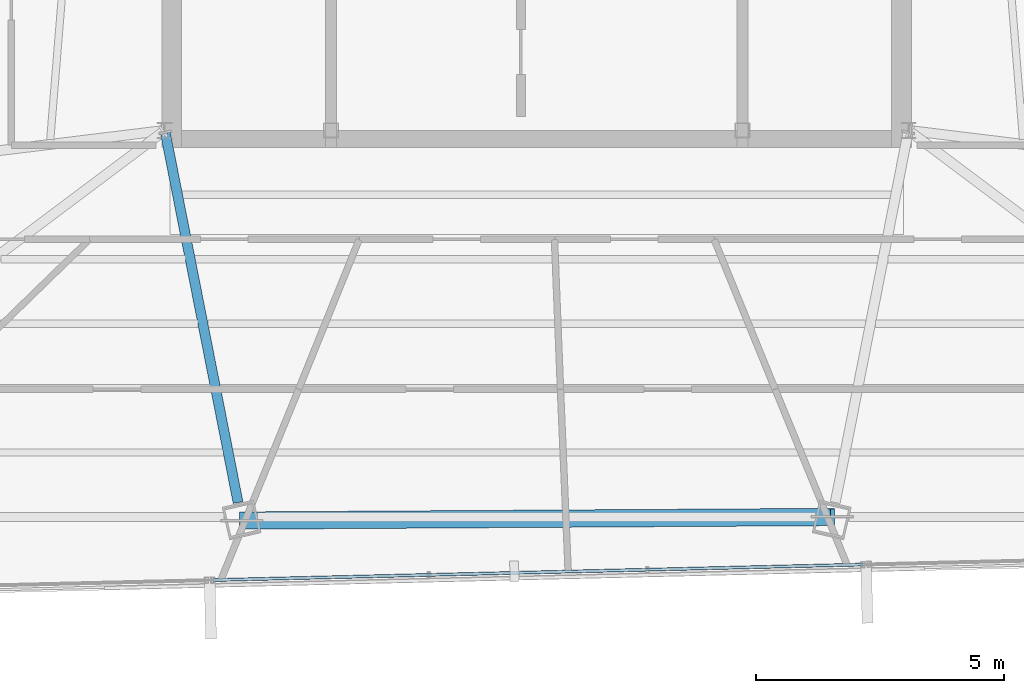
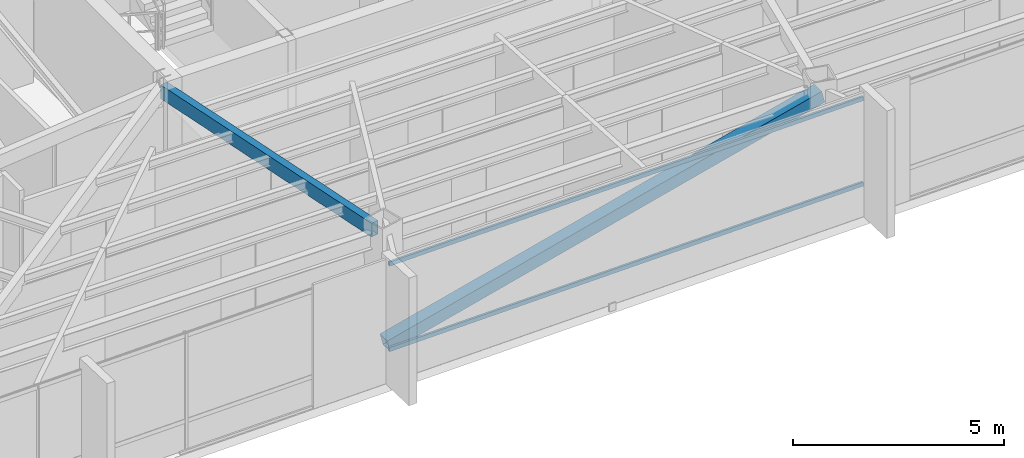
# One storey, part 12 of 45: 3 members, 1 beam, 1 element without a shape of its own.
"""IFC4 building model written with IfcOpenShell, lengths in metres."""

from ifc_helpers import new_model, si_unit, direction, frame, origin, origin_2d, place, context, subcontext, project, spatial, hollow_rectangle, extrude, source, transform, mapped, material, material_profile, profile_set, type_object, type_shapes, element, aggregate, save


model = new_model("IFC4")

# Units and contexts
model_context = context("Model", 3, precision=1e-05, world=origin(), true_north=direction((0.0, 1.0)))
body_context = subcontext(model_context, "Body", "Model", "MODEL_VIEW")
ifc_project = project(units=[si_unit("LENGTHUNIT", "METRE"), si_unit("AREAUNIT", "SQUARE_METRE"), si_unit("VOLUMEUNIT", "CUBIC_METRE"), si_unit("PLANEANGLEUNIT", "RADIAN"), si_unit("MASSUNIT", "GRAM", prefix="KILO")], contexts=[model_context])

# Site, building, storey
site_placement = place(None, origin())
site = spatial("IfcSite", under=ifc_project, at=site_placement, CompositionType="ELEMENT")
building_placement = place(site_placement, origin())
building = spatial("IfcBuilding", under=site, at=building_placement, Name="Caelisora Broadcast Tower", CompositionType="ELEMENT")
storey_placement = place(building_placement, frame((0.0, 0.0, 266.35009765625)))
storey = spatial("IfcBuildingStorey", under=building, at=storey_placement, Name="L70", CompositionType="ELEMENT", Elevation=266.35009765625)

# Beam
ifc_material_1 = material(Name="Steel Grade 350 (AS/NZS 1163 C350L0)", Category="steel")
ifc_material_profile_1 = material_profile(ifc_material_1, hollow_rectangle(XDim=0.199951171875, YDim=0.39990234375, WallThickness=0.012451171875, at=origin_2d()), Name="Steel Grade 350 (AS/NZS 1163 C350L0)")
ifc_profile_set_1 = profile_set([ifc_material_profile_1], Name="Steel Grade 350 (AS/NZS 1163 C350L0)")
beam_type = type_object("IfcBeamType", Name="PG07", PredefinedType="BEAM", material=ifc_profile_set_1)
shared_shape_1 = source(origin(), body_context, "Body", "SweptSolid", [
    extrude(hollow_rectangle(XDim=0.199951171875, YDim=0.39990234375, WallThickness=0.012451171875, at=origin_2d()), origin(), (0.0, 0.0, 1.0), 7.590087890625),
])
type_shapes(beam_type, [shared_shape_1])
beam_placement = place(storey_placement, frame((30.51171875, 17.341064453125, 3.199951171875), z_axis=(0.193028459947, -0.981193158176, 0.0), x_axis=(0.981193158176, 0.193028459947, 0.0)))
element("IfcBeam", 1, at=beam_placement, inside=storey, type_object=beam_type, Name="L70 beam PG07", PredefinedType="BEAM", context=body_context, shape_type="MappedRepresentation", body=[
    mapped(shared_shape_1, transform((0.0, 0.0, 0.0), scale=1.0)),
])

# Member
ifc_material_2 = material(Name="Steel Grade 450 (AS/NZS 1163 C450L0)", Category="steel")
ifc_material_profile_2 = material_profile(ifc_material_2, hollow_rectangle(XDim=0.35009765625, YDim=0.35009765625, WallThickness=0.012451171875, at=origin_2d()), Name="Steel Grade 450 (AS/NZS 1163 C450L0)")
ifc_profile_set_2 = profile_set([ifc_material_profile_2], Name="Steel Grade 450 (AS/NZS 1163 C450L0)")
member_type_1 = type_object("IfcMemberType", Name="BR05", PredefinedType="BRACE", material=ifc_profile_set_2)
shared_shape_2 = source(origin(), body_context, "Body", "SweptSolid", [
    extrude(hollow_rectangle(XDim=0.35009765625, YDim=0.35009765625, WallThickness=0.012451171875, at=origin_2d()), origin(), (0.0, 0.0, 1.0), 12.287109375),
])
type_shapes(member_type_1, [shared_shape_2])
member_1_placement = place(storey_placement, frame((32.05078125, 9.529052734375, 0.099853515625), z_axis=(0.969717613528, 0.005881411638, 0.244158061532), x_axis=(-0.006064965084, 0.99998160793, 0.0)))
element("IfcMember", 2, at=member_1_placement, inside=storey, type_object=member_type_1, Name="L70 perimeter brace BR05", PredefinedType="BRACE", context=body_context, shape_type="MappedRepresentation", body=[
    mapped(shared_shape_2, transform((0.0, 0.0, 0.0), scale=1.0)),
])

# Curtain wall, members
ifc_material_3 = material(Name="Unitised Aluminium Insulated Shadow-Box Spandrel Curtain Wall", Category="aluminium")
curtain_wall_type = type_object("IfcCurtainWallType", Name="CW-SP3", PredefinedType="NOTDEFINED", material=ifc_material_3)
curtain_wall_placement = place(storey_placement, origin())
curtain_wall = element("IfcCurtainWall", 3, at=curtain_wall_placement, inside=storey, type_object=curtain_wall_type, Name="L70 curtain wall CW-SP3", PredefinedType="NOTDEFINED")
ifc_material_4 = material(Name="Aluminium 6063-T6 Anodised Terracotta Bronze", Category="aluminium")
ifc_material_profile_3 = material_profile(ifc_material_4, hollow_rectangle(XDim=0.06005859375, YDim=0.1201171875, WallThickness=0.0029296875, at=origin_2d()), Name="Aluminium 6063-T6 Anodised Terracotta Bronze")
ifc_profile_set_3 = profile_set([ifc_material_profile_3], Name="Aluminium 6063-T6 Anodised Terracotta Bronze")
member_type_2 = type_object("IfcMemberType", Name="CWT-03", PredefinedType="USERDEFINED", material=ifc_profile_set_3)
shared_shape_3 = source(origin(), body_context, "Body", "SweptSolid", [
    extrude(hollow_rectangle(XDim=0.06005859375, YDim=0.1201171875, WallThickness=0.0029296875, at=origin_2d()), origin(), (0.0, 0.0, 1.0), 13.13525390625),
])
type_shapes(member_type_2, [shared_shape_3])
member_2_placement = place(storey_placement, frame((44.5908203125, 8.64208984375, 0.849853515625), z_axis=(-0.999714743364, -0.023883716237, 0.0), x_axis=(0.023883716237, -0.999714743364, 0.0)))
member_2 = element("IfcMember", 4, at=member_2_placement, type_object=member_type_2, Name="L70-CW-B06 transom #1", ObjectType="TRANSOM", PredefinedType="USERDEFINED", context=body_context, shape_type="MappedRepresentation", body=[
    mapped(shared_shape_3, transform((0.0, 0.0, 0.0), scale=1.0)),
])
member_3_placement = place(storey_placement, frame((44.5908203125, 8.64208984375, 3.31982421875), z_axis=(-0.999714743364, -0.023883716237, 0.0), x_axis=(0.023883716237, -0.999714743364, 0.0)))
member_3 = element("IfcMember", 5, at=member_3_placement, type_object=member_type_2, Name="L70-CW-B06 transom #2", ObjectType="TRANSOM", PredefinedType="USERDEFINED", context=body_context, shape_type="MappedRepresentation", body=[
    mapped(shared_shape_3, transform((0.0, 0.0, 0.0), scale=1.0)),
])
aggregate(curtain_wall, [member_2, member_3])

save(model, "model.ifc")
